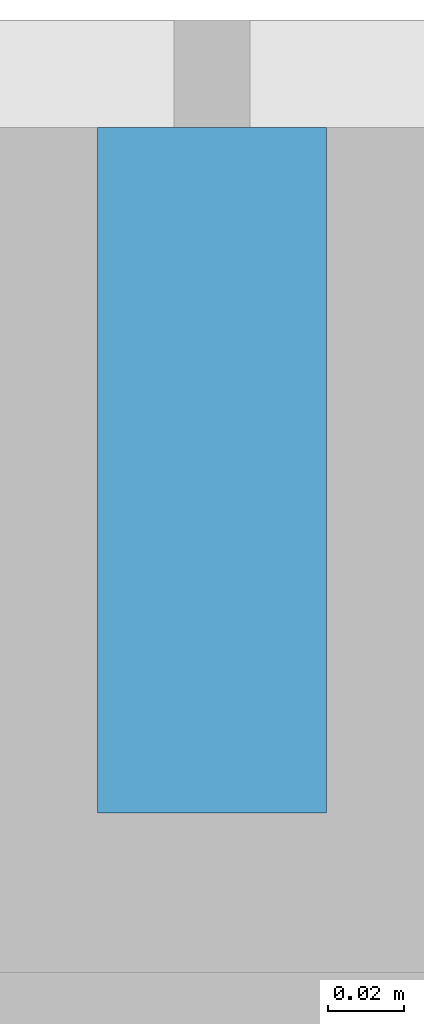
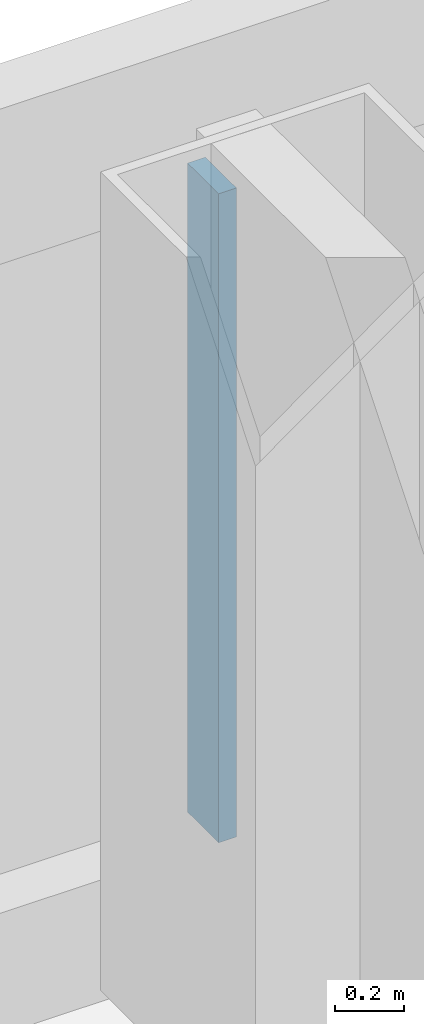
# One storey, part 7 of 29: 1 member, 1 element without a shape of its own.
"""IFC4 building model written with IfcOpenShell, lengths in metres."""

from ifc_helpers import new_model, si_unit, direction, frame, origin, origin_2d, place, context, subcontext, project, spatial, rectangle, extrude, material, layer, layer_set, material_profile, profile_set, type_object, element, aggregate, save


model = new_model("IFC4")

# Units and contexts
model_context = context("Model", 3, precision=1e-05, world=origin(), true_north=direction((0.0, 1.0)))
body_context = subcontext(model_context, "Body", "Model", "MODEL_VIEW")
ifc_project = project(units=[si_unit("LENGTHUNIT", "METRE"), si_unit("AREAUNIT", "SQUARE_METRE"), si_unit("VOLUMEUNIT", "CUBIC_METRE"), si_unit("PLANEANGLEUNIT", "RADIAN"), si_unit("MASSUNIT", "GRAM", prefix="KILO")], contexts=[model_context])

# Site, building, storey
site_placement = place(None, origin())
site = spatial("IfcSite", under=ifc_project, at=site_placement, CompositionType="ELEMENT")
building_placement = place(site_placement, origin())
building = spatial("IfcBuilding", under=site, at=building_placement, Name="Hakoniwa Tower and Hamabe Station Hall", CompositionType="ELEMENT")
storey_placement = place(building_placement, frame((0.0, 0.0, 61.39990234375)))
storey = spatial("IfcBuildingStorey", under=building, at=storey_placement, Name="L17", CompositionType="ELEMENT", Elevation=61.39990234375)

# Curtain wall, member
ifc_material_1 = material(Name="Dark low-e laminated glass", Category="glass")
ifc_layer = layer(ifc_material_1, 0.199951171875)
ifc_layer_set = layer_set([ifc_layer], Name="CW-1 UNITISED GUEST")
curtain_wall_type = type_object("IfcCurtainWallType", Name="CW-1 UNITISED GUEST", PredefinedType="NOTDEFINED", material=ifc_layer_set)
curtain_wall_placement = place(storey_placement, origin())
curtain_wall = element("IfcCurtainWall", 1, at=curtain_wall_placement, inside=storey, type_object=curtain_wall_type, Name="CW-1 curtain wall", PredefinedType="NOTDEFINED")
ifc_material_2 = material(Name="Aluminium 6063-T5 black anodised", Category="aluminium")
ifc_material_profile = material_profile(ifc_material_2, rectangle(XDim=0.06005859375, YDim=0.179931640625, at=origin_2d()), Name="CW-1 MULLION 60X180")
ifc_profile_set = profile_set([ifc_material_profile], Name="Aluminium 6063-T5 black anodised")
member_type = type_object("IfcMemberType", Name="CW-1 MULLION 60X180", PredefinedType="MULLION", material=ifc_profile_set)
member_placement = place(storey_placement, frame((0.0, 20.181884765625, 0.35009765625), z_axis=(0.0, 0.0, 1.0), x_axis=(-1.0, 0.0, 0.0)))
member = element("IfcMember", 2, at=member_placement, type_object=member_type, Name="CW-1 mullion", PredefinedType="MULLION", context=body_context, shape_type="SweptSolid", body=[
    extrude(rectangle(XDim=0.06005859375, YDim=0.179931640625, at=origin_2d()), origin(), (0.0, 0.0, 1.0), 2.300048828125),
])
aggregate(curtain_wall, [member])

save(model, "model.ifc")
